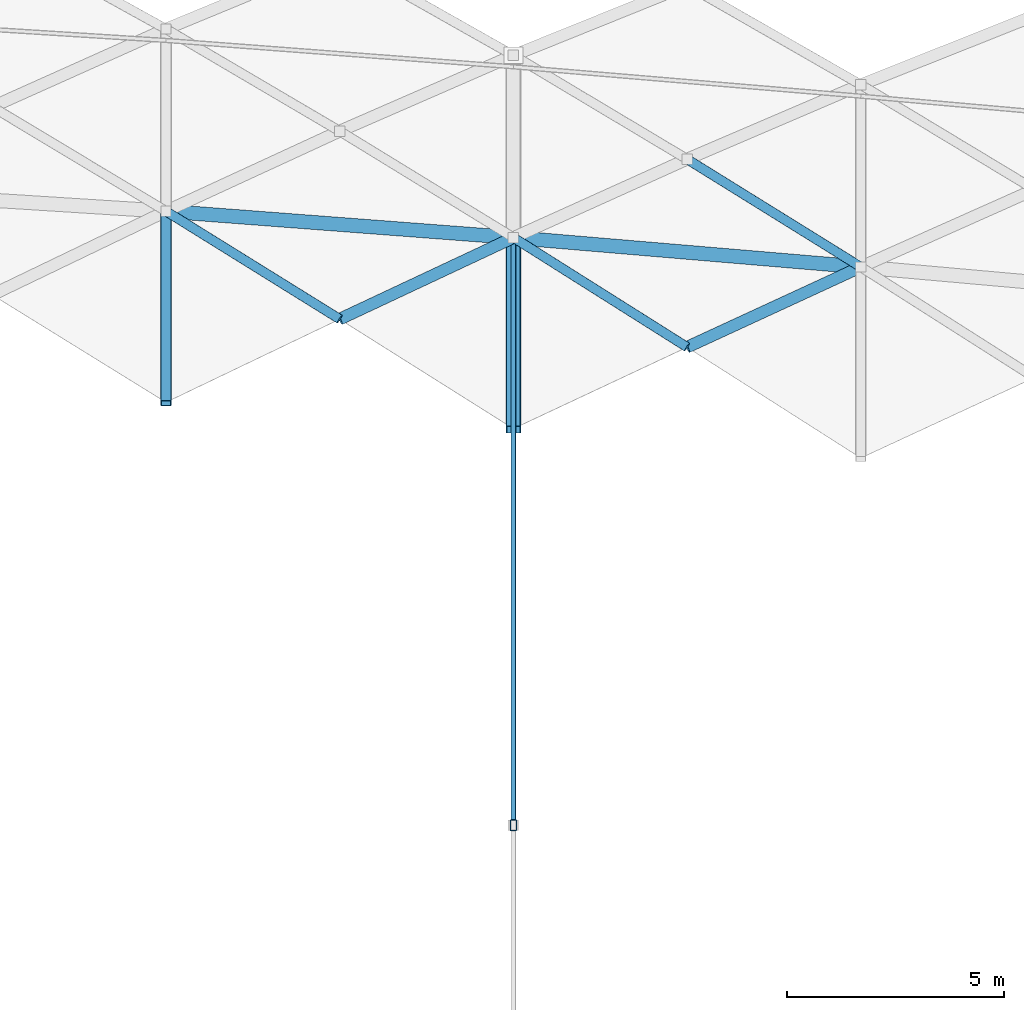
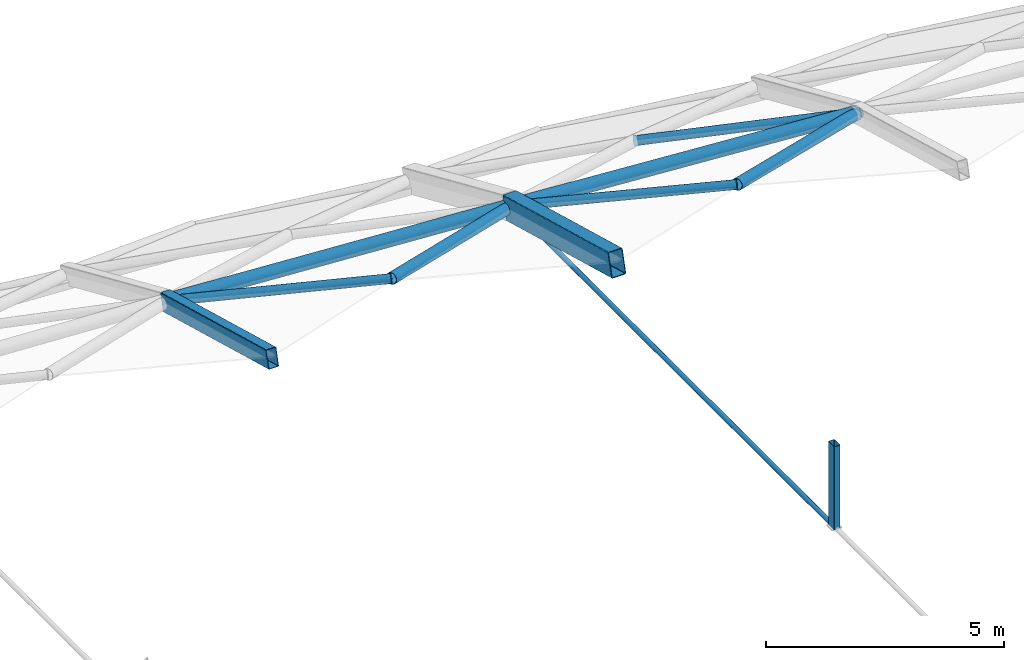
# One storey, part 14 of 54: 9 members, 2 beams.
"""IFC4 building model written with IfcOpenShell, lengths in metres."""

from ifc_helpers import new_model, si_unit, direction, frame, origin, origin_2d, place, context, subcontext, project, spatial, hollow_rectangle, hollow_circle, extrude, material, material_profile, profile_set, type_object, element, save


model = new_model("IFC4")

# Units and contexts
model_context = context("Model", 3, precision=1e-05, world=origin(), true_north=direction((0.0, 1.0)))
body_context = subcontext(model_context, "Body", "Model", "MODEL_VIEW")
ifc_project = project(units=[si_unit("LENGTHUNIT", "METRE"), si_unit("AREAUNIT", "SQUARE_METRE"), si_unit("VOLUMEUNIT", "CUBIC_METRE"), si_unit("PLANEANGLEUNIT", "RADIAN"), si_unit("MASSUNIT", "GRAM", prefix="KILO")], contexts=[model_context])

# Site, building, storey
site_placement = place(None, origin())
site = spatial("IfcSite", under=ifc_project, at=site_placement, CompositionType="ELEMENT")
building_placement = place(site_placement, origin())
building = spatial("IfcBuilding", under=site, at=building_placement, Name="Kenh Van Central Station", CompositionType="ELEMENT")
storey_placement = place(building_placement, frame((0.0, 0.0, 15.0)))
storey = spatial("IfcBuildingStorey", under=building, at=storey_placement, Name="L03", CompositionType="ELEMENT", Elevation=15.0)

# Beams
ifc_material = material(Name="White fluoropolymer structural steel S355", Category="steel")
ifc_material_profile_1 = material_profile(ifc_material, hollow_rectangle(XDim=0.35009765625, YDim=0.60009765625, WallThickness=0.01611328125, InnerFilletRadius=0.01611328125, OuterFilletRadius=0.031982421875, at=origin_2d()), Name="RHS 600x350x16")
ifc_profile_set_1 = profile_set([ifc_material_profile_1], Name="White fluoropolymer structural steel S355")
beam_type_1 = type_object("IfcBeamType", Name="BM-VAULT-ARCH600", PredefinedType="BEAM", material=ifc_profile_set_1)
beam_1_placement = place(storey_placement, frame((128.0, 98.50146484375, 5.28173828125), z_axis=(0.0, 0.964381836979, -0.264514030829), x_axis=(-1.0, 0.0, 0.0)))
element("IfcBeam", 1, at=beam_1_placement, inside=storey, type_object=beam_type_1, Name="Vault transverse arch 150", PredefinedType="BEAM", context=body_context, shape_type="SweptSolid", body=[
    extrude(hollow_rectangle(XDim=0.35009765625, YDim=0.60009765625, WallThickness=0.01611328125, InnerFilletRadius=0.01611328125, OuterFilletRadius=0.031982421875, at=origin_2d()), origin(), (0.0, 0.0, 1.0), 4.58447265625),
])
ifc_material_profile_2 = material_profile(ifc_material, hollow_rectangle(XDim=0.25, YDim=0.449951171875, WallThickness=0.012451171875, InnerFilletRadius=0.012451171875, OuterFilletRadius=0.02490234375, at=origin_2d()), Name="RHS 450x250x12.5")
ifc_profile_set_2 = profile_set([ifc_material_profile_2], Name="White fluoropolymer structural steel S355")
beam_type_2 = type_object("IfcBeamType", Name="BM-VAULT-SUB450", PredefinedType="BEAM", material=ifc_profile_set_2)
beam_2_placement = place(storey_placement, frame((120.0, 99.108154296875, 5.28173828125), z_axis=(0.0, 0.96438556277, -0.26450044673), x_axis=(-1.0, 0.0, 0.0)))
element("IfcBeam", 2, at=beam_2_placement, inside=storey, type_object=beam_type_2, Name="Vault transverse arch 138", PredefinedType="BEAM", context=body_context, shape_type="SweptSolid", body=[
    extrude(hollow_rectangle(XDim=0.25, YDim=0.449951171875, WallThickness=0.012451171875, InnerFilletRadius=0.012451171875, OuterFilletRadius=0.02490234375, at=origin_2d()), origin(), (0.0, 0.0, 1.0), 4.584716796875),
])

# Members
ifc_material_profile_3 = material_profile(ifc_material, hollow_rectangle(XDim=0.14990234375, YDim=0.25, WallThickness=0.008056640625, InnerFilletRadius=0.008056640625, OuterFilletRadius=0.01611328125, at=origin_2d()), Name="RHS 250x150x8")
ifc_profile_set_3 = profile_set([ifc_material_profile_3], Name="White fluoropolymer structural steel S355")
member_type_1 = type_object("IfcMemberType", Name="MEM-STR-RHS250", PredefinedType="STRUT", material=ifc_profile_set_3)
member_1_placement = place(storey_placement, frame((128.0, 89.388427734375, 4.069091796875), z_axis=(0.0, 0.0, 1.0), x_axis=(1.0, 0.0, 0.0)))
element("IfcMember", 3, at=member_1_placement, inside=storey, type_object=member_type_1, Name="Vault internal crown king strut 007", PredefinedType="STRUT", context=body_context, shape_type="SweptSolid", body=[
    extrude(hollow_rectangle(XDim=0.14990234375, YDim=0.25, WallThickness=0.008056640625, InnerFilletRadius=0.008056640625, OuterFilletRadius=0.01611328125, at=origin_2d()), origin(), (0.0, 0.0, 1.0), 2.130859375),
])
ifc_material_profile_4 = material_profile(ifc_material, hollow_circle(Radius=0.109619140625, WallThickness=0.008056640625, at=origin_2d()), Name="CHS 219.1x8")
ifc_profile_set_4 = profile_set([ifc_material_profile_4], Name="White fluoropolymer structural steel S355")
member_type_2 = type_object("IfcMemberType", Name="MEM-VAULT-BRC219", PredefinedType="BRACE", material=ifc_profile_set_4)
member_2_placement = place(storey_placement, frame((120.0, 103.529541015625, 4.069091796875), z_axis=(0.840874863993, -0.52221079963, 0.142215835457), x_axis=(0.527573227334, 0.849509558392, 0.0)))
element("IfcMember", 4, at=member_2_placement, inside=storey, type_object=member_type_2, Name="Vault diamond grid member 0531", PredefinedType="BRACE", context=body_context, shape_type="SweptSolid", body=[
    extrude(hollow_circle(Radius=0.109619140625, WallThickness=0.008056640625, at=origin_2d()), origin(), (0.0, 0.0, 1.0), 4.7568359375),
])
member_3_placement = place(storey_placement, frame((128.0, 102.922607421875, 4.069091796875), z_axis=(0.837309240986, -0.528071068549, 0.141612787279), x_axis=(0.533447080218, 0.845833442592, 0.0)))
element("IfcMember", 5, at=member_3_placement, inside=storey, type_object=member_type_2, Name="Vault diamond grid member 0579", PredefinedType="BRACE", context=body_context, shape_type="SweptSolid", body=[
    extrude(hollow_circle(Radius=0.109619140625, WallThickness=0.008056640625, at=origin_2d()), origin(), (0.0, 0.0, 1.0), 4.777099609375),
])
member_4_placement = place(storey_placement, frame((132.0, 104.728271484375, 3.237060546875), z_axis=(0.836749216848, -0.51918899771, 0.174050374208), x_axis=(0.527236337623, 0.849718685384, 0.0)))
element("IfcMember", 6, at=member_4_placement, inside=storey, type_object=member_type_2, Name="Vault diamond grid member 0604", PredefinedType="BRACE", context=body_context, shape_type="SweptSolid", body=[
    extrude(hollow_circle(Radius=0.109619140625, WallThickness=0.008056640625, at=origin_2d()), origin(), (0.0, 0.0, 1.0), 4.780517578125),
])
ifc_material_profile_5 = material_profile(ifc_material, hollow_circle(Radius=0.05712890625, WallThickness=0.010009765625, at=origin_2d()), Name="CHS 114.3x10")
ifc_profile_set_5 = profile_set([ifc_material_profile_5], Name="White fluoropolymer structural steel S355")
member_type_3 = type_object("IfcMemberType", Name="MEM-VAULT-CBL114", PredefinedType="BRACE", material=ifc_profile_set_5)
member_5_placement = place(storey_placement, frame((128.0, 89.388427734375, 4.069091796875), z_axis=(0.0, 1.0, 0.0), x_axis=(-1.0, 0.0, 0.0)))
element("IfcMember", 7, at=member_5_placement, inside=storey, type_object=member_type_3, Name="Vault internal bowstring tension tie 14", PredefinedType="BRACE", context=body_context, shape_type="SweptSolid", body=[
    extrude(hollow_circle(Radius=0.05712890625, WallThickness=0.010009765625, at=origin_2d()), origin(), (0.0, 0.0, 1.0), 13.5341796875),
])
ifc_material_profile_6 = material_profile(ifc_material, hollow_circle(Radius=0.136474609375, WallThickness=0.010009765625, at=origin_2d()), Name="CHS 273x10")
ifc_profile_set_6 = profile_set([ifc_material_profile_6], Name="White fluoropolymer structural steel S355")
member_type_4 = type_object("IfcMemberType", Name="MEM-VAULT-CHD273", PredefinedType="CHORD", material=ifc_profile_set_6)
member_6_placement = place(storey_placement, frame((124.0, 101.04541015625, 4.74560546875), z_axis=(0.894840247897, 0.419947916631, -0.151342915462), x_axis=(-0.424841529845, 0.905267736374, 0.0)))
element("IfcMember", 8, at=member_6_placement, inside=storey, type_object=member_type_4, Name="Vault diamond grid member 0553", PredefinedType="CHORD", context=body_context, shape_type="SweptSolid", body=[
    extrude(hollow_circle(Radius=0.136474609375, WallThickness=0.010009765625, at=origin_2d()), origin(), (0.0, 0.0, 1.0), 4.469970703125),
])
member_7_placement = place(storey_placement, frame((132.0, 100.39990234375, 4.74560546875), z_axis=(0.897416190214, 0.414255288488, -0.15177858051), x_axis=(-0.419110889496, 0.907935054013, 0.0)))
element("IfcMember", 9, at=member_7_placement, inside=storey, type_object=member_type_4, Name="Vault diamond grid member 0601", PredefinedType="CHORD", context=body_context, shape_type="SweptSolid", body=[
    extrude(hollow_circle(Radius=0.136474609375, WallThickness=0.010009765625, at=origin_2d()), origin(), (0.0, 0.0, 1.0), 4.457275390625),
])
ifc_material_profile_7 = material_profile(ifc_material, hollow_circle(Radius=0.161865234375, WallThickness=0.010009765625, at=origin_2d()), Name="CHS 323.9x10")
ifc_profile_set_7 = profile_set([ifc_material_profile_7], Name="White fluoropolymer structural steel S355")
member_type_5 = type_object("IfcMemberType", Name="MEM-VAULT-CHD324", PredefinedType="CHORD", material=ifc_profile_set_7)
member_8_placement = place(storey_placement, frame((120.0, 103.529541015625, 4.069091796875), z_axis=(0.997134485958, -0.075649302127, 0.0), x_axis=(0.075649302127, 0.997134485958, 0.0)))
element("IfcMember", 10, at=member_8_placement, inside=storey, type_object=member_type_5, Name="Vault longitudinal spine chord 40", PredefinedType="CHORD", context=body_context, shape_type="SweptSolid", body=[
    extrude(hollow_circle(Radius=0.161865234375, WallThickness=0.010009765625, at=origin_2d()), origin(), (0.0, 0.0, 1.0), 8.02294921875),
])
member_9_placement = place(storey_placement, frame((128.0, 102.922607421875, 4.069091796875), z_axis=(0.996446063383, -0.084233264025, 0.0), x_axis=(0.084233264025, 0.996446063383, 0.0)))
element("IfcMember", 11, at=member_9_placement, inside=storey, type_object=member_type_5, Name="Vault longitudinal spine chord 41", PredefinedType="CHORD", context=body_context, shape_type="SweptSolid", body=[
    extrude(hollow_circle(Radius=0.161865234375, WallThickness=0.010009765625, at=origin_2d()), origin(), (0.0, 0.0, 1.0), 8.028564453125),
])

save(model, "model.ifc")
